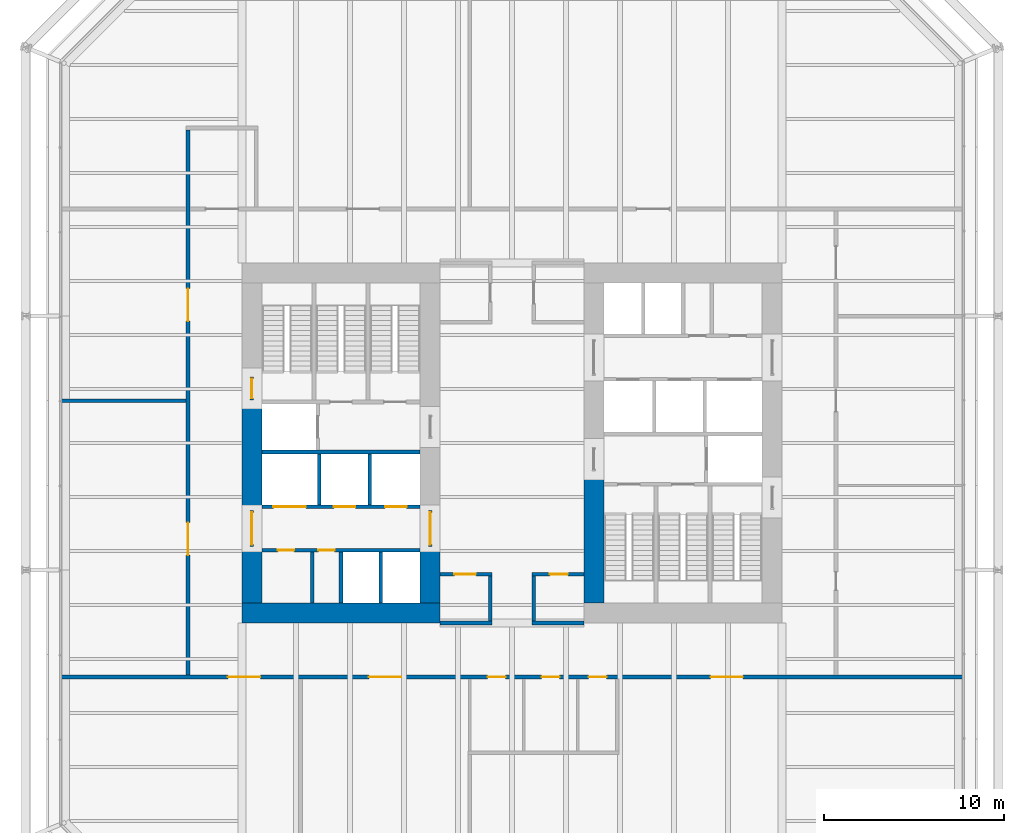
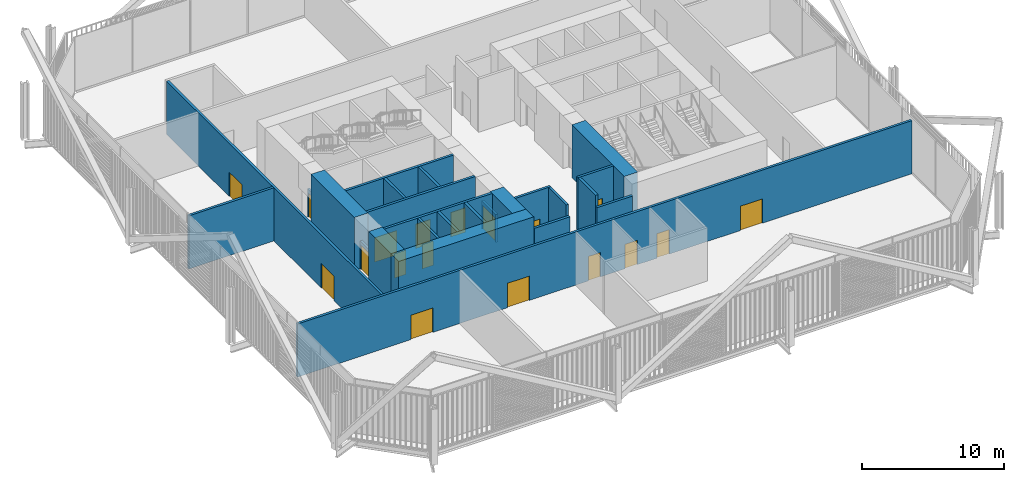
# One storey, part 18 of 22: 25 walls, 18 doors, 18 openings.
"""IFC4 building model written with IfcOpenShell, lengths in metres."""

import ifcopenshell
import ifcopenshell.guid

model = None  # the IFC model being written
_history = None  # IfcOwnerHistory: only IFC2X3 demands one
_inside = {}  # id of a spatial element -> (the spatial element, [elements in it])
_under = {}  # id of a project, library or spatial element -> (it, [spatial elements below it])
_declared = {}  # id of a project -> (the project, [libraries it declares])
_typed = {}  # id of a type object -> (the type object, [elements of that type])
_made_of = {}  # id of a material, layer set ... -> (it, [elements and type objects made of it])


def new_model(schema):
    """Start an empty IFC model of exactly this schema.

    Asked for "IFC4X3", IfcOpenShell would pick the latest addendum, in which some entities
    have other attributes; the version numbers below select the first issue.
    IFC2X3 requires an IfcOwnerHistory on every rooted entity: one is made here for all.
    """
    global model, _history
    if schema == "IFC4X3":
        model = ifcopenshell.file(schema_version=(4, 3, 0, 0))
    else:
        model = ifcopenshell.file(schema=schema)
    _inside.clear()
    _under.clear()
    _declared.clear()
    _typed.clear()
    _made_of.clear()
    _history = None
    if model.schema == "IFC2X3":
        org = make("IfcOrganization", Name="unknown")
        user = make(
            "IfcPersonAndOrganization",
            ThePerson=make("IfcPerson", FamilyName="unknown"),
            TheOrganization=org,
        )
        app = make(
            "IfcApplication",
            ApplicationDeveloper=org,
            Version="unknown",
            ApplicationFullName="unknown",
            ApplicationIdentifier="unknown",
        )
        _history = make(
            "IfcOwnerHistory",
            OwningUser=user,
            OwningApplication=app,
            ChangeAction="ADDED",
            CreationDate=0,
        )
    return model


def make(cls, **values):
    """One entity of the class cls with the attributes given. An attribute that is None is left unset."""
    return model.create_entity(
        cls, **{name: value for name, value in values.items() if value is not None}
    )


def rooted(cls, **values):
    """An entity with a GlobalId (a new one), such as an element, a storey or a relation."""
    return make(cls, GlobalId=ifcopenshell.guid.new(), OwnerHistory=_history, **values)


def si_unit(unit_type, name, prefix=None):
    """IfcSIUnit, for example si_unit("LENGTHUNIT", "METRE", prefix="MILLI")."""
    return make("IfcSIUnit", UnitType=unit_type, Prefix=prefix, Name=name)


def assignment(units):
    """IfcUnitAssignment: the units of a project."""
    return None if units is None else make("IfcUnitAssignment", Units=units)


def point(xyz):
    """IfcCartesianPoint."""
    return None if xyz is None else make("IfcCartesianPoint", Coordinates=xyz)


def direction(xyz):
    """IfcDirection."""
    return None if xyz is None else make("IfcDirection", DirectionRatios=xyz)


def frame(location, z_axis=None, x_axis=None):
    """IfcAxis2Placement3D, a coordinate frame: its origin and axes. An axis left out is left unset."""
    return make(
        "IfcAxis2Placement3D",
        Location=point(location),
        Axis=direction(z_axis),
        RefDirection=direction(x_axis),
    )


def frame_2d(location, x_axis=None):
    """IfcAxis2Placement2D, a coordinate frame in the plane: its origin and x axis."""
    return make(
        "IfcAxis2Placement2D", Location=point(location), RefDirection=direction(x_axis)
    )


def origin():
    """The frame at (0, 0, 0) with its axes left unset."""
    return frame((0.0, 0.0, 0.0))


def place(relative_to, where):
    """IfcLocalPlacement: puts the frame where relative to a parent placement (None: the world)."""
    return make(
        "IfcLocalPlacement", PlacementRelTo=relative_to, RelativePlacement=where
    )


def context(
    kind, dimensions, precision=None, world=None, true_north=None, identifier=None
):
    """IfcGeometricRepresentationContext, for example the 3D "Model" context."""
    return make(
        "IfcGeometricRepresentationContext",
        ContextIdentifier=identifier,
        ContextType=kind,
        CoordinateSpaceDimension=dimensions,
        Precision=precision,
        WorldCoordinateSystem=world,
        TrueNorth=true_north,
    )


def subcontext(parent, identifier, kind, view, scale=None):
    """IfcGeometricRepresentationSubContext, for example "Body" below "Model"."""
    return make(
        "IfcGeometricRepresentationSubContext",
        ContextIdentifier=identifier,
        ContextType=kind,
        ParentContext=parent,
        TargetScale=scale,
        TargetView=view,
    )


def project(units=None, contexts=None):
    """IfcProject with its units and contexts."""
    return rooted(
        "IfcProject",
        Name="project",
        RepresentationContexts=contexts,
        UnitsInContext=assignment(units),
    )


def spatial(cls, under=None, at=None, **own):
    """A site, building, storey or space (cls), placed at a placement, below another one or the project."""
    s = rooted(cls, ObjectPlacement=at, **own)
    if under is not None:
        _under.setdefault(under.id(), (under, []))[1].append(s)
    return s


def profile(cls, at=None, kind="AREA", **sizes):
    """A parametric profile (cls). Its sizes go by their IFC names, for example OverallWidth=200.0."""
    return make(cls, ProfileType=kind, Position=at, **sizes)


def rectangle(**sizes):
    """IfcRectangleProfileDef."""
    return profile("IfcRectangleProfileDef", **sizes)


def extrude(swept, where, along, depth):
    """IfcExtrudedAreaSolid: the profile swept, set in the frame where, extruded along a direction by depth."""
    return make(
        "IfcExtrudedAreaSolid",
        SweptArea=swept,
        Position=where,
        ExtrudedDirection=direction(along),
        Depth=depth,
    )


def shape(context_of_items, identifier, shape_type, items):
    """IfcShapeRepresentation: the items that make up one representation, for example the "Body"."""
    return make(
        "IfcShapeRepresentation",
        ContextOfItems=context_of_items,
        RepresentationIdentifier=identifier,
        RepresentationType=shape_type,
        Items=items,
    )


def material(Name=None, Category=None):
    """IfcMaterial."""
    return make("IfcMaterial", Name=Name, Category=Category)


def layer(
    of_material, thickness, ventilated=None, Name=None, Category=None, Priority=None
):
    """IfcMaterialLayer: one layer of a wall or slab, of a material (None: an air gap)."""
    return make(
        "IfcMaterialLayer",
        Material=of_material,
        LayerThickness=thickness,
        IsVentilated=ventilated,
        Name=Name,
        Category=Category,
        Priority=Priority,
    )


def layer_set(layers, Name=None):
    """IfcMaterialLayerSet."""
    return make("IfcMaterialLayerSet", MaterialLayers=layers, LayerSetName=Name)


def made_of(thing, what):
    """Note that an element or type object is made of a material, layer set ...; save() writes the relation."""
    if what is not None:
        _made_of.setdefault(what.id(), (what, []))[1].append(thing)
    return thing


def type_object(cls, material=None, **own):
    """A type object (cls), such as IfcWallType, which elements share."""
    return made_of(rooted(cls, **own), material)


def element(
    cls,
    number,
    at=None,
    inside=None,
    cuts=None,
    type_object=None,
    material=None,
    context=None,
    identifier="Body",
    shape_type=None,
    held_by="IfcProductDefinitionShape",
    body=None,
    shapes=None,
    **own,
):
    """One element of the class cls, such as IfcWall. Its Tag is "e" and its number.

    at: its placement. inside: the storey or other place that contains it. cuts: it is an
    opening in that element (IfcRelVoidsElement). A single representation is given by context,
    identifier, shape_type and body (its items); several are given by shapes. held_by: the class
    of the entity that holds the representations. save() writes the other relations.
    """
    e = rooted(cls, Tag="e%d" % number, ObjectPlacement=at, **own)
    if body is not None:
        shapes = [shape(context, identifier, shape_type, body)]
    if shapes is not None:
        e.Representation = make(held_by, Representations=shapes)
    if inside is not None:
        _inside.setdefault(inside.id(), (inside, []))[1].append(e)
    if cuts is not None:
        rooted(
            "IfcRelVoidsElement", RelatingBuildingElement=cuts, RelatedOpeningElement=e
        )
    if type_object is not None:
        _typed.setdefault(type_object.id(), (type_object, []))[1].append(e)
    return made_of(e, material)


def fill(opening, filler):
    """IfcRelFillsElement: the door or window that sits in an opening."""
    return rooted(
        "IfcRelFillsElement",
        RelatingOpeningElement=opening,
        RelatedBuildingElement=filler,
    )


def aggregate(whole, parts):
    """IfcRelAggregates: a whole, such as a stair, and the parts it consists of."""
    return rooted("IfcRelAggregates", RelatingObject=whole, RelatedObjects=parts)


def save(model, path):
    """Write the relations noted so far, then the file.

    IfcRelAggregates (storeys below a building ...), IfcRelContainedInSpatialStructure (elements
    in a storey), IfcRelDefinesByType, IfcRelAssociatesMaterial and IfcRelDeclares: one each for
    every whole, place, type object, material and project.
    """
    for whole, parts in _under.values():
        aggregate(whole, parts)
    for where, things in _inside.values():
        rooted(
            "IfcRelContainedInSpatialStructure",
            RelatedElements=things,
            RelatingStructure=where,
        )
    for kind, things in _typed.values():
        rooted("IfcRelDefinesByType", RelatedObjects=things, RelatingType=kind)
    for what, things in _made_of.values():
        rooted("IfcRelAssociatesMaterial", RelatedObjects=things, RelatingMaterial=what)
    for by, libraries in _declared.values():
        rooted("IfcRelDeclares", RelatingContext=by, RelatedDefinitions=libraries)
    model.write(path)


model = new_model("IFC4")

# Units and contexts
model_context = context("Model", 3, precision=1e-05, world=origin(), true_north=direction((0.0, 1.0)))
body_context = subcontext(model_context, "Body", "Model", "MODEL_VIEW")
ifc_project = project(units=[si_unit("LENGTHUNIT", "METRE"), si_unit("AREAUNIT", "SQUARE_METRE"), si_unit("VOLUMEUNIT", "CUBIC_METRE"), si_unit("PLANEANGLEUNIT", "RADIAN"), si_unit("MASSUNIT", "GRAM", prefix="KILO")], contexts=[model_context])

# Site, building, storey
site_placement = place(None, origin())
site = spatial("IfcSite", under=ifc_project, at=site_placement, CompositionType="ELEMENT")
building_placement = place(site_placement, origin())
building = spatial("IfcBuilding", under=site, at=building_placement, Name="Millrace Tower", CompositionType="ELEMENT")
storey_placement = place(building_placement, frame((0.0, 0.0, 20.89990234375)))
storey = spatial("IfcBuildingStorey", under=building, at=storey_placement, Name="L05", CompositionType="ELEMENT", Elevation=20.89990234375)

# Walls
ifc_material_1 = material(Name="Concrete C80", Category="concrete")
ifc_layer_1 = layer(ifc_material_1, 1.10009765625)
ifc_layer_set_1 = layer_set([ifc_layer_1], Name="Concrete C80")
wall_type_1 = type_object("IfcWallType", Name="Core wall 1100 Concrete C80", PredefinedType="SHEAR", material=ifc_layer_set_1)
wall_1_placement = place(storey_placement, frame((-15.0, -9.449951171875, 0.0), z_axis=(0.0, 0.0, 1.0), x_axis=(1.0, 0.0, 0.0)))
element("IfcWall", 1, at=wall_1_placement, inside=storey, type_object=wall_type_1, Name="Core wall W L05", PredefinedType="SHEAR", context=body_context, shape_type="SweptSolid", body=[
    extrude(rectangle(XDim=11.0, YDim=1.10009765625, at=frame_2d((5.5, 0.0))), origin(), (0.0, 0.0, 1.0), 4.5751953125),
])
wall_2_placement = place(storey_placement, frame((-14.449951171875, -8.89990234375, 0.0), z_axis=(0.0, 0.0, 1.0), x_axis=(0.0, 1.0, 0.0)))
element("IfcWall", 2, at=wall_2_placement, inside=storey, type_object=wall_type_1, Name="Core wall W L05", PredefinedType="SHEAR", context=body_context, shape_type="SweptSolid", body=[
    extrude(rectangle(XDim=3.14990234375, YDim=1.10009765625, at=frame_2d((1.574951171875, 0.0))), origin(), (0.0, 0.0, 1.0), 4.5751953125),
])
wall_3_placement = place(storey_placement, frame((-14.449951171875, -3.75, 0.0), z_axis=(0.0, 0.0, 1.0), x_axis=(0.0, 1.0, 0.0)))
element("IfcWall", 3, at=wall_3_placement, inside=storey, type_object=wall_type_1, Name="Core wall W L05", PredefinedType="SHEAR", context=body_context, shape_type="SweptSolid", body=[
    extrude(rectangle(XDim=6.1298828125, YDim=1.10009765625, at=frame_2d((3.06494140625, 0.0))), origin(), (0.0, 0.0, 1.0), 4.5751953125),
])
wall_4_placement = place(storey_placement, frame((-4.550048828125, -8.89990234375, 0.0), z_axis=(0.0, 0.0, 1.0), x_axis=(0.0, 1.0, 0.0)))
element("IfcWall", 4, at=wall_4_placement, inside=storey, type_object=wall_type_1, Name="Core wall W L05", PredefinedType="SHEAR", context=body_context, shape_type="SweptSolid", body=[
    extrude(rectangle(XDim=3.14990234375, YDim=1.10009765625, at=frame_2d((1.574951171875, 0.0))), origin(), (0.0, 0.0, 1.0), 4.5751953125),
])
wall_5_placement = place(storey_placement, frame((4.550048828125, -1.550048828125, 0.0), z_axis=(0.0, 0.0, 1.0), x_axis=(0.0, -1.0, 0.0)))
element("IfcWall", 5, at=wall_5_placement, inside=storey, type_object=wall_type_1, Name="Core wall E L05", PredefinedType="SHEAR", context=body_context, shape_type="SweptSolid", body=[
    extrude(rectangle(XDim=7.349853515625, YDim=1.10009765625, at=frame_2d((3.6748046875, 0.0))), origin(), (0.0, 0.0, 1.0), 4.5751953125),
])

# Wall, openings, doors
ifc_material_2 = material(Name="Masonry partition, fire-rated", Category="masonry")
ifc_layer_2 = layer(ifc_material_2, 0.199951171875)
ifc_layer_set_2 = layer_set([ifc_layer_2], Name="Masonry partition, fire-rated")
wall_type_2 = type_object("IfcWallType", Name="Corridor wall 200", PredefinedType="PARTITIONING", material=ifc_layer_set_2)
wall_6_placement = place(storey_placement, frame((-25.030029296875, -13.0, 0.0), z_axis=(0.0, 0.0, 1.0), x_axis=(1.0, 0.0, 0.0)))
wall_6 = element("IfcWall", 6, at=wall_6_placement, inside=storey, type_object=wall_type_2, Name="Corridor wall L05", PredefinedType="PARTITIONING", context=body_context, shape_type="SweptSolid", body=[
    extrude(rectangle(XDim=50.06005859375, YDim=0.199951171875, at=frame_2d((25.030029296875, 0.0))), origin(), (0.0, 0.0, 1.0), 4.5751953125),
])
opening_1_placement = place(wall_6_placement, frame((9.25, 0.0, 0.0)))
opening_1 = element("IfcOpeningElement", 7, at=opening_1_placement, cuts=wall_6, Name="Opening 05-P005", PredefinedType="OPENING", context=body_context, shape_type="SweptSolid", body=[
    extrude(rectangle(XDim=1.800048828125, YDim=2.10009765625, at=frame_2d((0.89990234375, 1.050048828125))), frame((0.0, 0.10986328125, 0.0), z_axis=(0.0, -1.0, 0.0), x_axis=(1.0, 0.0, 0.0)), (0.0, 0.0, 1.0), 0.219970703125),
])
opening_2_placement = place(wall_6_placement, frame((17.080078125, 0.0, 0.0)))
opening_2 = element("IfcOpeningElement", 8, at=opening_2_placement, cuts=wall_6, Name="Opening 05-P006", PredefinedType="OPENING", context=body_context, shape_type="SweptSolid", body=[
    extrude(rectangle(XDim=1.800048828125, YDim=2.10009765625, at=frame_2d((0.89990234375, 1.050048828125))), frame((0.0, 0.10986328125, 0.0), z_axis=(0.0, -1.0, 0.0), x_axis=(1.0, 0.0, 0.0)), (0.0, 0.0, 1.0), 0.219970703125),
])
opening_3_placement = place(wall_6_placement, frame((36.06005859375, 0.0, 0.0)))
opening_3 = element("IfcOpeningElement", 9, at=opening_3_placement, cuts=wall_6, Name="Opening 05-P007", PredefinedType="OPENING", context=body_context, shape_type="SweptSolid", body=[
    extrude(rectangle(XDim=1.800048828125, YDim=2.10009765625, at=frame_2d((0.89990234375, 1.050048828125))), frame((0.0, 0.10986328125, 0.0), z_axis=(0.0, -1.0, 0.0), x_axis=(1.0, 0.0, 0.0)), (0.0, 0.0, 1.0), 0.219970703125),
])
opening_4_placement = place(wall_6_placement, frame((23.679931640625, 0.0, 0.0)))
opening_4 = element("IfcOpeningElement", 10, at=opening_4_placement, cuts=wall_6, Name="Opening 05-P008", PredefinedType="OPENING", context=body_context, shape_type="SweptSolid", body=[
    extrude(rectangle(XDim=1.0, YDim=2.10009765625, at=frame_2d((0.5, 1.050048828125))), frame((0.0, 0.10986328125, 0.0), z_axis=(0.0, -1.0, 0.0), x_axis=(1.0, 0.0, 0.0)), (0.0, 0.0, 1.0), 0.219970703125),
])
opening_5_placement = place(wall_6_placement, frame((26.679931640625, 0.0, 0.0)))
opening_5 = element("IfcOpeningElement", 11, at=opening_5_placement, cuts=wall_6, Name="Opening 05-P009", PredefinedType="OPENING", context=body_context, shape_type="SweptSolid", body=[
    extrude(rectangle(XDim=1.0, YDim=2.10009765625, at=frame_2d((0.5, 1.050048828125))), frame((0.0, 0.10986328125, 0.0), z_axis=(0.0, -1.0, 0.0), x_axis=(1.0, 0.0, 0.0)), (0.0, 0.0, 1.0), 0.219970703125),
])
opening_6_placement = place(wall_6_placement, frame((29.280029296875, 0.0, 0.0)))
opening_6 = element("IfcOpeningElement", 12, at=opening_6_placement, cuts=wall_6, Name="Opening 05-P010", PredefinedType="OPENING", context=body_context, shape_type="SweptSolid", body=[
    extrude(rectangle(XDim=1.0, YDim=2.10009765625, at=frame_2d((0.5, 1.050048828125))), frame((0.0, 0.10986328125, 0.0), z_axis=(0.0, -1.0, 0.0), x_axis=(1.0, 0.0, 0.0)), (0.0, 0.0, 1.0), 0.219970703125),
])
ifc_material_3 = material(Name="Steel door set, fire-rated", Category="steel")
door_type_1 = type_object("IfcDoorType", Name="Corridor door 1000 x 2100", OperationType="SINGLE_SWING_LEFT", PredefinedType="DOOR", material=ifc_material_3)
door_1_placement = place(opening_4_placement, frame((1.0, 0.0, 0.0), z_axis=(0.0, 0.0, 1.0), x_axis=(-1.0, 0.0, 0.0)))
door_1 = element("IfcDoor", 13, at=door_1_placement, inside=storey, type_object=door_type_1, Name="Door 05-P008", OperationType="SINGLE_SWING_RIGHT", OverallHeight=2.10009765625, OverallWidth=1.0, PredefinedType="DOOR", context=body_context, shape_type="SweptSolid", body=[
    extrude(rectangle(XDim=1.0, YDim=2.10009765625, at=frame_2d((0.5, 1.050048828125))), frame((0.0, 0.02490234375, 0.0), z_axis=(0.0, -1.0, 0.0), x_axis=(1.0, 0.0, 0.0)), (0.0, 0.0, 1.0), 0.050048828125),
])
fill(opening_4, door_1)
door_2_placement = place(opening_5_placement, frame((1.0, 0.0, 0.0), z_axis=(0.0, 0.0, 1.0), x_axis=(-1.0, 0.0, 0.0)))
door_2 = element("IfcDoor", 14, at=door_2_placement, inside=storey, type_object=door_type_1, Name="Door 05-P009", OperationType="SINGLE_SWING_LEFT", OverallHeight=2.10009765625, OverallWidth=1.0, PredefinedType="DOOR", context=body_context, shape_type="SweptSolid", body=[
    extrude(rectangle(XDim=1.0, YDim=2.10009765625, at=frame_2d((0.5, 1.050048828125))), frame((0.0, 0.02490234375, 0.0), z_axis=(0.0, -1.0, 0.0), x_axis=(1.0, 0.0, 0.0)), (0.0, 0.0, 1.0), 0.050048828125),
])
fill(opening_5, door_2)
door_3_placement = place(opening_6_placement, frame((1.0, 0.0, 0.0), z_axis=(0.0, 0.0, 1.0), x_axis=(-1.0, 0.0, 0.0)))
door_3 = element("IfcDoor", 15, at=door_3_placement, inside=storey, type_object=door_type_1, Name="Door 05-P010", OperationType="SINGLE_SWING_LEFT", OverallHeight=2.10009765625, OverallWidth=1.0, PredefinedType="DOOR", context=body_context, shape_type="SweptSolid", body=[
    extrude(rectangle(XDim=1.0, YDim=2.10009765625, at=frame_2d((0.5, 1.050048828125))), frame((0.0, 0.02490234375, 0.0), z_axis=(0.0, -1.0, 0.0), x_axis=(1.0, 0.0, 0.0)), (0.0, 0.0, 1.0), 0.050048828125),
])
fill(opening_6, door_3)
ifc_material_4 = material(Name="Steel door set, fire-rated", Category="steel")
door_type_2 = type_object("IfcDoorType", Name="Corridor door 1800 x 2100", OperationType="DOUBLE_DOOR_SINGLE_SWING", PredefinedType="DOOR", material=ifc_material_4)
door_4_placement = place(opening_2_placement, frame((1.800048828125, 0.0, 0.0), z_axis=(0.0, 0.0, 1.0), x_axis=(-1.0, 0.0, 0.0)))
door_4 = element("IfcDoor", 16, at=door_4_placement, inside=storey, type_object=door_type_2, Name="Door 05-P006", OperationType="DOUBLE_DOOR_SINGLE_SWING", OverallHeight=2.10009765625, OverallWidth=1.800048828125, PredefinedType="DOOR", context=body_context, shape_type="SweptSolid", body=[
    extrude(rectangle(XDim=1.800048828125, YDim=2.10009765625, at=frame_2d((0.89990234375, 1.050048828125))), frame((0.0, 0.02490234375, 0.0), z_axis=(0.0, -1.0, 0.0), x_axis=(1.0, 0.0, 0.0)), (0.0, 0.0, 1.0), 0.050048828125),
])
fill(opening_2, door_4)
ifc_material_5 = material(Name="Steel door set, fire-rated", Category="steel")
door_type_3 = type_object("IfcDoorType", Name="Data hall door 1800 x 2100", OperationType="DOUBLE_DOOR_SINGLE_SWING", PredefinedType="DOOR", material=ifc_material_5)
door_5_placement = place(opening_1_placement, frame((1.800048828125, 0.0, 0.0), z_axis=(0.0, 0.0, 1.0), x_axis=(-1.0, 0.0, 0.0)))
door_5 = element("IfcDoor", 17, at=door_5_placement, inside=storey, type_object=door_type_3, Name="Door 05-P005", OperationType="DOUBLE_DOOR_SINGLE_SWING", OverallHeight=2.10009765625, OverallWidth=1.800048828125, PredefinedType="DOOR", context=body_context, shape_type="SweptSolid", body=[
    extrude(rectangle(XDim=1.800048828125, YDim=2.10009765625, at=frame_2d((0.89990234375, 1.050048828125))), frame((0.0, 0.02490234375, 0.0), z_axis=(0.0, -1.0, 0.0), x_axis=(1.0, 0.0, 0.0)), (0.0, 0.0, 1.0), 0.050048828125),
])
fill(opening_1, door_5)
door_6_placement = place(opening_3_placement, frame((1.800048828125, 0.0, 0.0), z_axis=(0.0, 0.0, 1.0), x_axis=(-1.0, 0.0, 0.0)))
door_6 = element("IfcDoor", 18, at=door_6_placement, inside=storey, type_object=door_type_3, Name="Door 05-P007", OperationType="DOUBLE_DOOR_SINGLE_SWING", OverallHeight=2.10009765625, OverallWidth=1.800048828125, PredefinedType="DOOR", context=body_context, shape_type="SweptSolid", body=[
    extrude(rectangle(XDim=1.800048828125, YDim=2.10009765625, at=frame_2d((0.89990234375, 1.050048828125))), frame((0.0, 0.02490234375, 0.0), z_axis=(0.0, -1.0, 0.0), x_axis=(1.0, 0.0, 0.0)), (0.0, 0.0, 1.0), 0.050048828125),
])
fill(opening_3, door_6)

# Walls
for number, where, z_axis, x_axis, name in (
    (19, (-4.0, -10.0, 0.0), (0.0, 0.0, 1.0), (1.0, 0.0, 0.0), "Corridor wall L05"),
    (20, (1.10009765625, -10.0, 0.0), (0.0, 0.0, 1.0), (1.0, 0.0, 0.0), "Corridor wall L05"),
):
    element("IfcWall", number, at=place(storey_placement, frame(where, z_axis=z_axis, x_axis=x_axis)), inside=storey, type_object=wall_type_2, Name=name, PredefinedType="PARTITIONING", context=body_context, shape_type="SweptSolid", body=[
        extrude(rectangle(XDim=2.89990234375, YDim=0.199951171875, at=frame_2d((1.449951171875, 0.0))), origin(), (0.0, 0.0, 1.0), 3.627685546875),
    ])

# Wall, opening, door
wall_7_placement = place(storey_placement, frame((-4.0, -7.300048828125, 0.0), z_axis=(0.0, 0.0, 1.0), x_axis=(1.0, 0.0, 0.0)))
wall_7 = element("IfcWall", 21, at=wall_7_placement, inside=storey, type_object=wall_type_2, Name="Corridor wall L05", PredefinedType="PARTITIONING", context=body_context, shape_type="SweptSolid", body=[
    extrude(rectangle(XDim=2.89990234375, YDim=0.199951171875, at=frame_2d((1.449951171875, 0.0))), origin(), (0.0, 0.0, 1.0), 4.5751953125),
])
opening_7_placement = place(wall_7_placement, frame((0.800048828125, 0.0, 0.0)))
opening_7 = element("IfcOpeningElement", 22, at=opening_7_placement, cuts=wall_7, Name="Opening 05-P003", PredefinedType="OPENING", context=body_context, shape_type="SweptSolid", body=[
    extrude(rectangle(XDim=1.199951171875, YDim=2.10009765625, at=frame_2d((0.60009765625, 1.050048828125))), frame((0.0, 0.10986328125, 0.0), z_axis=(0.0, -1.0, 0.0), x_axis=(1.0, 0.0, 0.0)), (0.0, 0.0, 1.0), 0.219970703125),
])
ifc_material_6 = material(Name="Steel door set, fire-rated", Category="steel")
door_type_4 = type_object("IfcDoorType", Name="Corridor door 1200 x 2100", OperationType="SINGLE_SWING_LEFT", PredefinedType="DOOR", material=ifc_material_6)
door_7_placement = place(opening_7_placement, frame((1.199951171875, 0.0, 0.0), z_axis=(0.0, 0.0, 1.0), x_axis=(-1.0, 0.0, 0.0)))
door_7 = element("IfcDoor", 23, at=door_7_placement, inside=storey, type_object=door_type_4, Name="Door 05-P003", OperationType="SINGLE_SWING_LEFT", OverallHeight=2.10009765625, OverallWidth=1.199951171875, PredefinedType="DOOR", context=body_context, shape_type="SweptSolid", body=[
    extrude(rectangle(XDim=1.199951171875, YDim=2.10009765625, at=frame_2d((0.60009765625, 1.050048828125))), frame((0.0, 0.02490234375, 0.0), z_axis=(0.0, -1.0, 0.0), x_axis=(1.0, 0.0, 0.0)), (0.0, 0.0, 1.0), 0.050048828125),
])
fill(opening_7, door_7)

wall_8_placement = place(storey_placement, frame((1.10009765625, -7.300048828125, 0.0), z_axis=(0.0, 0.0, 1.0), x_axis=(1.0, 0.0, 0.0)))
wall_8 = element("IfcWall", 24, at=wall_8_placement, inside=storey, type_object=wall_type_2, Name="Corridor wall L05", PredefinedType="PARTITIONING", context=body_context, shape_type="SweptSolid", body=[
    extrude(rectangle(XDim=2.89990234375, YDim=0.199951171875, at=frame_2d((1.449951171875, 0.0))), origin(), (0.0, 0.0, 1.0), 4.5751953125),
])
opening_8_placement = place(wall_8_placement, frame((1.0, 0.0, 0.0)))
opening_8 = element("IfcOpeningElement", 25, at=opening_8_placement, cuts=wall_8, Name="Opening 05-P004", PredefinedType="OPENING", context=body_context, shape_type="SweptSolid", body=[
    extrude(rectangle(XDim=1.0, YDim=2.10009765625, at=frame_2d((0.5, 1.050048828125))), frame((0.0, 0.10986328125, 0.0), z_axis=(0.0, -1.0, 0.0), x_axis=(1.0, 0.0, 0.0)), (0.0, 0.0, 1.0), 0.219970703125),
])
door_8_placement = place(opening_8_placement, frame((1.0, 0.0, 0.0), z_axis=(0.0, 0.0, 1.0), x_axis=(-1.0, 0.0, 0.0)))
door_8 = element("IfcDoor", 26, at=door_8_placement, inside=storey, type_object=door_type_1, Name="Door 05-P004", OperationType="SINGLE_SWING_LEFT", OverallHeight=2.10009765625, OverallWidth=1.0, PredefinedType="DOOR", context=body_context, shape_type="SweptSolid", body=[
    extrude(rectangle(XDim=1.0, YDim=2.10009765625, at=frame_2d((0.5, 1.050048828125))), frame((0.0, 0.02490234375, 0.0), z_axis=(0.0, -1.0, 0.0), x_axis=(1.0, 0.0, 0.0)), (0.0, 0.0, 1.0), 0.050048828125),
])
fill(opening_8, door_8)

# Walls
wall_9_placement = place(storey_placement, frame((-25.030029296875, 2.35009765625, 0.0), z_axis=(0.0, 0.0, 1.0), x_axis=(1.0, 0.0, 0.0)))
element("IfcWall", 27, at=wall_9_placement, inside=storey, type_object=wall_type_2, Name="Corridor wall L05", PredefinedType="PARTITIONING", context=body_context, shape_type="SweptSolid", body=[
    extrude(rectangle(XDim=6.929931640625, YDim=0.199951171875, at=frame_2d((3.46484375, 0.0))), origin(), (0.0, 0.0, 1.0), 4.5751953125),
])
for number, where, z_axis, x_axis, name in (
    (28, (1.199951171875, -9.89990234375, 0.0), (0.0, 0.0, 1.0), (0.0, 1.0, 0.0), "Corridor wall L05"),
    (29, (-1.199951171875, -9.89990234375, 0.0), (0.0, 0.0, 1.0), (0.0, 1.0, 0.0), "Corridor wall L05"),
):
    element("IfcWall", number, at=place(storey_placement, frame(where, z_axis=z_axis, x_axis=x_axis)), inside=storey, type_object=wall_type_2, Name=name, PredefinedType="PARTITIONING", context=body_context, shape_type="SweptSolid", body=[
        extrude(rectangle(XDim=2.5, YDim=0.199951171875, at=frame_2d((1.25, 0.0))), origin(), (0.0, 0.0, 1.0), 4.5751953125),
    ])

# Wall, openings, doors
wall_10_placement = place(storey_placement, frame((-18.0, -12.89990234375, 0.0), z_axis=(0.0, 0.0, 1.0), x_axis=(0.0, 1.0, 0.0)))
wall_10 = element("IfcWall", 30, at=wall_10_placement, inside=storey, type_object=wall_type_2, Name="Corridor wall L05", PredefinedType="PARTITIONING", context=body_context, shape_type="SweptSolid", body=[
    extrude(rectangle(XDim=30.2998046875, YDim=0.199951171875, at=frame_2d((15.14990234375, 0.0))), origin(), (0.0, 0.0, 1.0), 4.5751953125),
])
opening_9_placement = place(wall_10_placement, frame((6.675048828125, 0.0, 0.0)))
opening_9 = element("IfcOpeningElement", 31, at=opening_9_placement, cuts=wall_10, Name="Opening 05-P017", PredefinedType="OPENING", context=body_context, shape_type="SweptSolid", body=[
    extrude(rectangle(XDim=1.800048828125, YDim=2.10009765625, at=frame_2d((0.89990234375, 1.050048828125))), frame((0.0, 0.10986328125, 0.0), z_axis=(0.0, -1.0, 0.0), x_axis=(1.0, 0.0, 0.0)), (0.0, 0.0, 1.0), 0.219970703125),
])
opening_10_placement = place(wall_10_placement, frame((19.675048828125, 0.0, 0.0)))
opening_10 = element("IfcOpeningElement", 32, at=opening_10_placement, cuts=wall_10, Name="Opening 05-P018", PredefinedType="OPENING", context=body_context, shape_type="SweptSolid", body=[
    extrude(rectangle(XDim=1.800048828125, YDim=2.10009765625, at=frame_2d((0.89990234375, 1.050048828125))), frame((0.0, 0.10986328125, 0.0), z_axis=(0.0, -1.0, 0.0), x_axis=(1.0, 0.0, 0.0)), (0.0, 0.0, 1.0), 0.219970703125),
])
door_9_placement = place(opening_9_placement, origin())
door_9 = element("IfcDoor", 33, at=door_9_placement, inside=storey, type_object=door_type_3, Name="Door 05-P017", OperationType="DOUBLE_DOOR_SINGLE_SWING", OverallHeight=2.10009765625, OverallWidth=1.800048828125, PredefinedType="DOOR", context=body_context, shape_type="SweptSolid", body=[
    extrude(rectangle(XDim=1.800048828125, YDim=2.10009765625, at=frame_2d((0.89990234375, 1.050048828125))), frame((0.0, 0.02490234375, 0.0), z_axis=(0.0, -1.0, 0.0), x_axis=(1.0, 0.0, 0.0)), (0.0, 0.0, 1.0), 0.050048828125),
])
fill(opening_9, door_9)
door_10_placement = place(opening_10_placement, origin())
door_10 = element("IfcDoor", 34, at=door_10_placement, inside=storey, type_object=door_type_3, Name="Door 05-P018", OperationType="DOUBLE_DOOR_SINGLE_SWING", OverallHeight=2.10009765625, OverallWidth=1.800048828125, PredefinedType="DOOR", context=body_context, shape_type="SweptSolid", body=[
    extrude(rectangle(XDim=1.800048828125, YDim=2.10009765625, at=frame_2d((0.89990234375, 1.050048828125))), frame((0.0, 0.02490234375, 0.0), z_axis=(0.0, -1.0, 0.0), x_axis=(1.0, 0.0, 0.0)), (0.0, 0.0, 1.0), 0.050048828125),
])
fill(opening_10, door_10)

ifc_material_7 = material(Name="Masonry partition, fire-rated", Category="masonry")
ifc_layer_3 = layer(ifc_material_7, 0.199951171875)
ifc_layer_set_3 = layer_set([ifc_layer_3], Name="Masonry partition, fire-rated")
wall_type_3 = type_object("IfcWallType", Name="Lift shaft wall 200", PredefinedType="PARTITIONING", material=ifc_layer_set_3)
wall_11_placement = place(storey_placement, frame((-13.89990234375, -5.949951171875, 0.0), z_axis=(0.0, 0.0, 1.0), x_axis=(1.0, 0.0, 0.0)))
wall_11 = element("IfcWall", 35, at=wall_11_placement, inside=storey, type_object=wall_type_3, Name="Lift shaft wall W L05", PredefinedType="PARTITIONING", context=body_context, shape_type="SweptSolid", body=[
    extrude(rectangle(XDim=8.7998046875, YDim=0.199951171875, at=frame_2d((4.39990234375, 0.0))), origin(), (0.0, 0.0, 1.0), 4.5751953125),
])
opening_11_placement = place(wall_11_placement, frame((0.8974609375, 0.0, 0.0)))
opening_11 = element("IfcOpeningElement", 36, at=opening_11_placement, cuts=wall_11, Name="Opening 05-C005", PredefinedType="OPENING", context=body_context, shape_type="SweptSolid", body=[
    extrude(rectangle(XDim=0.89990234375, YDim=2.10009765625, at=frame_2d((0.449951171875, 1.050048828125))), frame((0.0, 0.10986328125, 0.0), z_axis=(0.0, -1.0, 0.0), x_axis=(1.0, 0.0, 0.0)), (0.0, 0.0, 1.0), 0.219970703125),
])
opening_12_placement = place(wall_11_placement, frame((3.1474609375, 0.0, 0.0)))
opening_12 = element("IfcOpeningElement", 37, at=opening_12_placement, cuts=wall_11, Name="Opening 05-C006", PredefinedType="OPENING", context=body_context, shape_type="SweptSolid", body=[
    extrude(rectangle(XDim=0.89990234375, YDim=2.10009765625, at=frame_2d((0.449951171875, 1.050048828125))), frame((0.0, 0.10986328125, 0.0), z_axis=(0.0, -1.0, 0.0), x_axis=(1.0, 0.0, 0.0)), (0.0, 0.0, 1.0), 0.219970703125),
])
ifc_material_8 = material(Name="Steel door, fire-rated", Category="steel")
door_type_5 = type_object("IfcDoorType", Name="Service room door 900 x 2100", OperationType="SINGLE_SWING_LEFT", PredefinedType="DOOR", material=ifc_material_8)
door_11_placement = place(opening_11_placement, frame((0.89990234375, 0.0, 0.0), z_axis=(0.0, 0.0, 1.0), x_axis=(-1.0, 0.0, 0.0)))
door_11 = element("IfcDoor", 38, at=door_11_placement, inside=storey, type_object=door_type_5, Name="Service room door 05-C005", OperationType="SINGLE_SWING_RIGHT", OverallHeight=2.10009765625, OverallWidth=0.89990234375, PredefinedType="DOOR", context=body_context, shape_type="SweptSolid", body=[
    extrude(rectangle(XDim=0.89990234375, YDim=2.10009765625, at=frame_2d((0.449951171875, 1.050048828125))), frame((0.0, 0.02490234375, 0.0), z_axis=(0.0, -1.0, 0.0), x_axis=(1.0, 0.0, 0.0)), (0.0, 0.0, 1.0), 0.050048828125),
])
fill(opening_11, door_11)
door_12_placement = place(opening_12_placement, frame((0.89990234375, 0.0, 0.0), z_axis=(0.0, 0.0, 1.0), x_axis=(-1.0, 0.0, 0.0)))
door_12 = element("IfcDoor", 39, at=door_12_placement, inside=storey, type_object=door_type_5, Name="Service room door 05-C006", OperationType="SINGLE_SWING_RIGHT", OverallHeight=2.10009765625, OverallWidth=0.89990234375, PredefinedType="DOOR", context=body_context, shape_type="SweptSolid", body=[
    extrude(rectangle(XDim=0.89990234375, YDim=2.10009765625, at=frame_2d((0.449951171875, 1.050048828125))), frame((0.0, 0.02490234375, 0.0), z_axis=(0.0, -1.0, 0.0), x_axis=(1.0, 0.0, 0.0)), (0.0, 0.0, 1.0), 0.050048828125),
])
fill(opening_12, door_12)

wall_12_placement = place(storey_placement, frame((-13.89990234375, -3.550048828125, 0.0), z_axis=(0.0, 0.0, 1.0), x_axis=(1.0, 0.0, 0.0)))
wall_12 = element("IfcWall", 40, at=wall_12_placement, inside=storey, type_object=wall_type_3, Name="Lift shaft wall W L05", PredefinedType="PARTITIONING", context=body_context, shape_type="SweptSolid", body=[
    extrude(rectangle(XDim=8.7998046875, YDim=0.199951171875, at=frame_2d((4.39990234375, 0.0))), origin(), (0.0, 0.0, 1.0), 4.5751953125),
])
opening_13_placement = place(wall_12_placement, frame((0.64990234375, 0.0, 0.0)))
opening_13 = element("IfcOpeningElement", 41, at=opening_13_placement, cuts=wall_12, Name="Opening 05-LD05", PredefinedType="OPENING", context=body_context, shape_type="SweptSolid", body=[
    extrude(rectangle(XDim=1.800048828125, YDim=2.10009765625, at=frame_2d((0.89990234375, 1.050048828125))), frame((0.0, 0.10986328125, 0.0), z_axis=(0.0, -1.0, 0.0), x_axis=(1.0, 0.0, 0.0)), (0.0, 0.0, 1.0), 0.219970703125),
])
opening_14_placement = place(wall_12_placement, frame((4.0, 0.0, 0.0)))
opening_14 = element("IfcOpeningElement", 42, at=opening_14_placement, cuts=wall_12, Name="Opening 05-LD06", PredefinedType="OPENING", context=body_context, shape_type="SweptSolid", body=[
    extrude(rectangle(XDim=1.199951171875, YDim=2.10009765625, at=frame_2d((0.60009765625, 1.050048828125))), frame((0.0, 0.10986328125, 0.0), z_axis=(0.0, -1.0, 0.0), x_axis=(1.0, 0.0, 0.0)), (0.0, 0.0, 1.0), 0.219970703125),
])
opening_15_placement = place(wall_12_placement, frame((6.85009765625, 0.0, 0.0)))
opening_15 = element("IfcOpeningElement", 43, at=opening_15_placement, cuts=wall_12, Name="Opening 05-LD07", PredefinedType="OPENING", context=body_context, shape_type="SweptSolid", body=[
    extrude(rectangle(XDim=1.199951171875, YDim=2.10009765625, at=frame_2d((0.60009765625, 1.050048828125))), frame((0.0, 0.10986328125, 0.0), z_axis=(0.0, -1.0, 0.0), x_axis=(1.0, 0.0, 0.0)), (0.0, 0.0, 1.0), 0.219970703125),
])
ifc_material_9 = material(Name="Stainless steel, fire-rated", Category="steel")
door_type_6 = type_object("IfcDoorType", Name="Lift landing door 1200 x 2100", OperationType="DOUBLE_DOOR_SLIDING", PredefinedType="DOOR", material=ifc_material_9)
door_13_placement = place(opening_14_placement, origin())
door_13 = element("IfcDoor", 44, at=door_13_placement, inside=storey, type_object=door_type_6, Name="Lift landing door LF6 L05", OperationType="DOUBLE_DOOR_SLIDING", OverallHeight=2.10009765625, OverallWidth=1.199951171875, PredefinedType="DOOR", context=body_context, shape_type="SweptSolid", body=[
    extrude(rectangle(XDim=1.199951171875, YDim=2.10009765625, at=frame_2d((0.60009765625, 1.050048828125))), frame((0.0, 0.02490234375, 0.0), z_axis=(0.0, -1.0, 0.0), x_axis=(1.0, 0.0, 0.0)), (0.0, 0.0, 1.0), 0.050048828125),
])
fill(opening_14, door_13)
door_14_placement = place(opening_15_placement, origin())
door_14 = element("IfcDoor", 45, at=door_14_placement, inside=storey, type_object=door_type_6, Name="Lift landing door LF7 L05", OperationType="DOUBLE_DOOR_SLIDING", OverallHeight=2.10009765625, OverallWidth=1.199951171875, PredefinedType="DOOR", context=body_context, shape_type="SweptSolid", body=[
    extrude(rectangle(XDim=1.199951171875, YDim=2.10009765625, at=frame_2d((0.60009765625, 1.050048828125))), frame((0.0, 0.02490234375, 0.0), z_axis=(0.0, -1.0, 0.0), x_axis=(1.0, 0.0, 0.0)), (0.0, 0.0, 1.0), 0.050048828125),
])
fill(opening_15, door_14)
ifc_material_10 = material(Name="Stainless steel, fire-rated", Category="steel")
door_type_7 = type_object("IfcDoorType", Name="Lift landing door 1800 x 2100", OperationType="DOUBLE_DOOR_SLIDING", PredefinedType="DOOR", material=ifc_material_10)
door_15_placement = place(opening_13_placement, origin())
door_15 = element("IfcDoor", 46, at=door_15_placement, inside=storey, type_object=door_type_7, Name="Lift landing door LF5 L05", OperationType="DOUBLE_DOOR_SLIDING", OverallHeight=2.10009765625, OverallWidth=1.800048828125, PredefinedType="DOOR", context=body_context, shape_type="SweptSolid", body=[
    extrude(rectangle(XDim=1.800048828125, YDim=2.10009765625, at=frame_2d((0.89990234375, 1.050048828125))), frame((0.0, 0.02490234375, 0.0), z_axis=(0.0, -1.0, 0.0), x_axis=(1.0, 0.0, 0.0)), (0.0, 0.0, 1.0), 0.050048828125),
])
fill(opening_13, door_15)

# Walls
wall_13_placement = place(storey_placement, frame((-13.89990234375, -0.5, 0.0), z_axis=(0.0, 0.0, 1.0), x_axis=(1.0, 0.0, 0.0)))
element("IfcWall", 47, at=wall_13_placement, inside=storey, type_object=wall_type_3, Name="Lift shaft wall W L05", PredefinedType="PARTITIONING", context=body_context, shape_type="SweptSolid", body=[
    extrude(rectangle(XDim=8.7998046875, YDim=0.199951171875, at=frame_2d((4.39990234375, 0.0))), origin(), (0.0, 0.0, 1.0), 4.5751953125),
])
for number, where, z_axis, x_axis, name in (
    (48, (-9.5, -8.89990234375, 0.0), (0.0, 0.0, 1.0), (0.0, 1.0, 0.0), "Lift shaft wall W L05"),
    (49, (-7.300048828125, -8.89990234375, 0.0), (0.0, 0.0, 1.0), (0.0, 1.0, 0.0), "Lift shaft wall W L05"),
    (50, (-10.699951171875, -3.449951171875, 0.0), (0.0, 0.0, 1.0), (0.0, 1.0, 0.0), "Lift shaft wall W L05"),
    (51, (-7.89990234375, -3.449951171875, 0.0), (0.0, 0.0, 1.0), (0.0, 1.0, 0.0), "Lift shaft wall W L05"),
):
    element("IfcWall", number, at=place(storey_placement, frame(where, z_axis=z_axis, x_axis=x_axis)), inside=storey, type_object=wall_type_3, Name=name, PredefinedType="PARTITIONING", context=body_context, shape_type="SweptSolid", body=[
        extrude(rectangle(XDim=2.849853515625, YDim=0.199951171875, at=frame_2d((1.4248046875, 0.0))), origin(), (0.0, 0.0, 1.0), 4.5751953125),
    ])

# Wall, opening, door
ifc_material_11 = material(Name="Masonry partition, fire-rated", Category="masonry")
ifc_layer_4 = layer(ifc_material_11, 0.199951171875)
ifc_layer_set_4 = layer_set([ifc_layer_4], Name="Masonry partition, fire-rated")
wall_type_4 = type_object("IfcWallType", Name="Lobby wall 200", PredefinedType="PARTITIONING", material=ifc_layer_set_4)
wall_14_placement = place(storey_placement, frame((-14.449951171875, -5.75, 0.0), z_axis=(0.0, 0.0, 1.0), x_axis=(0.0, 1.0, 0.0)))
wall_14 = element("IfcWall", 52, at=wall_14_placement, inside=storey, type_object=wall_type_4, Name="Lobby wall W L05", PredefinedType="PARTITIONING", context=body_context, shape_type="SweptSolid", body=[
    extrude(rectangle(XDim=2.0, YDim=0.199951171875, at=frame_2d((1.0, 0.0))), origin(), (0.0, 0.0, 1.0), 2.400146484375),
])
opening_16_placement = place(wall_14_placement, frame((0.10009765625, 0.0, 0.0)))
opening_16 = element("IfcOpeningElement", 53, at=opening_16_placement, cuts=wall_14, Name="Opening 05-C001", PredefinedType="OPENING", context=body_context, shape_type="SweptSolid", body=[
    extrude(rectangle(XDim=1.800048828125, YDim=2.10009765625, at=frame_2d((0.89990234375, 1.050048828125))), frame((0.0, 0.10986328125, 0.0), z_axis=(0.0, -1.0, 0.0), x_axis=(1.0, 0.0, 0.0)), (0.0, 0.0, 1.0), 0.219970703125),
])
ifc_material_12 = material(Name="Steel door, fire-rated", Category="steel")
door_type_8 = type_object("IfcDoorType", Name="Lobby door 1800 x 2100", OperationType="DOUBLE_DOOR_SINGLE_SWING", PredefinedType="DOOR", material=ifc_material_12)
door_16_placement = place(opening_16_placement, origin())
door_16 = element("IfcDoor", 54, at=door_16_placement, inside=storey, type_object=door_type_8, Name="Lobby door 05-C001", OperationType="DOUBLE_DOOR_SINGLE_SWING", OverallHeight=2.10009765625, OverallWidth=1.800048828125, PredefinedType="DOOR", context=body_context, shape_type="SweptSolid", body=[
    extrude(rectangle(XDim=1.800048828125, YDim=2.10009765625, at=frame_2d((0.89990234375, 1.050048828125))), frame((0.0, 0.02490234375, 0.0), z_axis=(0.0, -1.0, 0.0), x_axis=(1.0, 0.0, 0.0)), (0.0, 0.0, 1.0), 0.050048828125),
])
fill(opening_16, door_16)

wall_15_placement = place(storey_placement, frame((-4.550048828125, -5.75, 0.0), z_axis=(0.0, 0.0, 1.0), x_axis=(0.0, 1.0, 0.0)))
wall_15 = element("IfcWall", 55, at=wall_15_placement, inside=storey, type_object=wall_type_4, Name="Lobby wall W L05", PredefinedType="PARTITIONING", context=body_context, shape_type="SweptSolid", body=[
    extrude(rectangle(XDim=2.0, YDim=0.199951171875, at=frame_2d((1.0, 0.0))), origin(), (0.0, 0.0, 1.0), 2.400146484375),
])
opening_17_placement = place(wall_15_placement, frame((0.10009765625, 0.0, 0.0)))
opening_17 = element("IfcOpeningElement", 56, at=opening_17_placement, cuts=wall_15, Name="Opening 05-C003", PredefinedType="OPENING", context=body_context, shape_type="SweptSolid", body=[
    extrude(rectangle(XDim=1.800048828125, YDim=2.10009765625, at=frame_2d((0.89990234375, 1.050048828125))), frame((0.0, 0.10986328125, 0.0), z_axis=(0.0, -1.0, 0.0), x_axis=(1.0, 0.0, 0.0)), (0.0, 0.0, 1.0), 0.219970703125),
])
door_17_placement = place(opening_17_placement, origin())
door_17 = element("IfcDoor", 57, at=door_17_placement, inside=storey, type_object=door_type_8, Name="Lobby door 05-C003", OperationType="DOUBLE_DOOR_SINGLE_SWING", OverallHeight=2.10009765625, OverallWidth=1.800048828125, PredefinedType="DOOR", context=body_context, shape_type="SweptSolid", body=[
    extrude(rectangle(XDim=1.800048828125, YDim=2.10009765625, at=frame_2d((0.89990234375, 1.050048828125))), frame((0.0, 0.02490234375, 0.0), z_axis=(0.0, -1.0, 0.0), x_axis=(1.0, 0.0, 0.0)), (0.0, 0.0, 1.0), 0.050048828125),
])
fill(opening_17, door_17)

# Wall
ifc_material_13 = material(Name="Masonry partition, fire-rated", Category="masonry")
ifc_layer_5 = layer(ifc_material_13, 0.199951171875)
ifc_layer_set_5 = layer_set([ifc_layer_5], Name="Masonry partition, fire-rated")
wall_type_5 = type_object("IfcWallType", Name="Room partition 200", PredefinedType="PARTITIONING", material=ifc_layer_set_5)
wall_16_placement = place(storey_placement, frame((-11.10498046875, -8.89990234375, 0.0), z_axis=(0.0, 0.0, 1.0), x_axis=(0.0, 1.0, 0.0)))
element("IfcWall", 58, at=wall_16_placement, inside=storey, type_object=wall_type_5, Name="Room partition W L05", PredefinedType="PARTITIONING", context=body_context, shape_type="SweptSolid", body=[
    extrude(rectangle(XDim=2.849853515625, YDim=0.199951171875, at=frame_2d((1.4248046875, 0.0))), origin(), (0.0, 0.0, 1.0), 4.5751953125),
])

# Wall, opening, door
ifc_material_14 = material(Name="Concrete C40", Category="concrete")
ifc_layer_6 = layer(ifc_material_14, 0.199951171875)
ifc_layer_set_6 = layer_set([ifc_layer_6], Name="Concrete C40")
wall_type_6 = type_object("IfcWallType", Name="Stair enclosure wall 200 Concrete C40", PredefinedType="SHEAR", material=ifc_layer_set_6)
wall_17_placement = place(storey_placement, frame((-14.449951171875, 2.3798828125, 0.0), z_axis=(0.0, 0.0, 1.0), x_axis=(0.0, 1.0, 0.0)))
wall_17 = element("IfcWall", 59, at=wall_17_placement, inside=storey, type_object=wall_type_6, Name="Stair enclosure wall W L05", PredefinedType="SHEAR", context=body_context, shape_type="SweptSolid", body=[
    extrude(rectangle(XDim=1.300048828125, YDim=0.199951171875, at=frame_2d((0.64990234375, 0.0))), origin(), (0.0, 0.0, 1.0), 2.400146484375),
])
opening_18_placement = place(wall_17_placement, frame((0.10009765625, 0.0, 0.0)))
opening_18 = element("IfcOpeningElement", 60, at=opening_18_placement, cuts=wall_17, Name="Opening 05-C002", PredefinedType="OPENING", context=body_context, shape_type="SweptSolid", body=[
    extrude(rectangle(XDim=1.10009765625, YDim=2.10009765625, at=frame_2d((0.550048828125, 1.050048828125))), frame((0.0, 0.10986328125, 0.0), z_axis=(0.0, -1.0, 0.0), x_axis=(1.0, 0.0, 0.0)), (0.0, 0.0, 1.0), 0.219970703125),
])
ifc_material_15 = material(Name="Steel door, fire-rated", Category="steel")
door_type_9 = type_object("IfcDoorType", Name="Stair door 1100 x 2100", OperationType="SINGLE_SWING_LEFT", PredefinedType="DOOR", material=ifc_material_15)
door_18_placement = place(opening_18_placement, origin())
door_18 = element("IfcDoor", 61, at=door_18_placement, inside=storey, type_object=door_type_9, Name="Stair door 05-C002", OperationType="SINGLE_SWING_RIGHT", OverallHeight=2.10009765625, OverallWidth=1.10009765625, PredefinedType="DOOR", context=body_context, shape_type="SweptSolid", body=[
    extrude(rectangle(XDim=1.10009765625, YDim=2.10009765625, at=frame_2d((0.550048828125, 1.050048828125))), frame((0.0, 0.02490234375, 0.0), z_axis=(0.0, -1.0, 0.0), x_axis=(1.0, 0.0, 0.0)), (0.0, 0.0, 1.0), 0.050048828125),
])
fill(opening_18, door_18)

save(model, "model.ifc")
